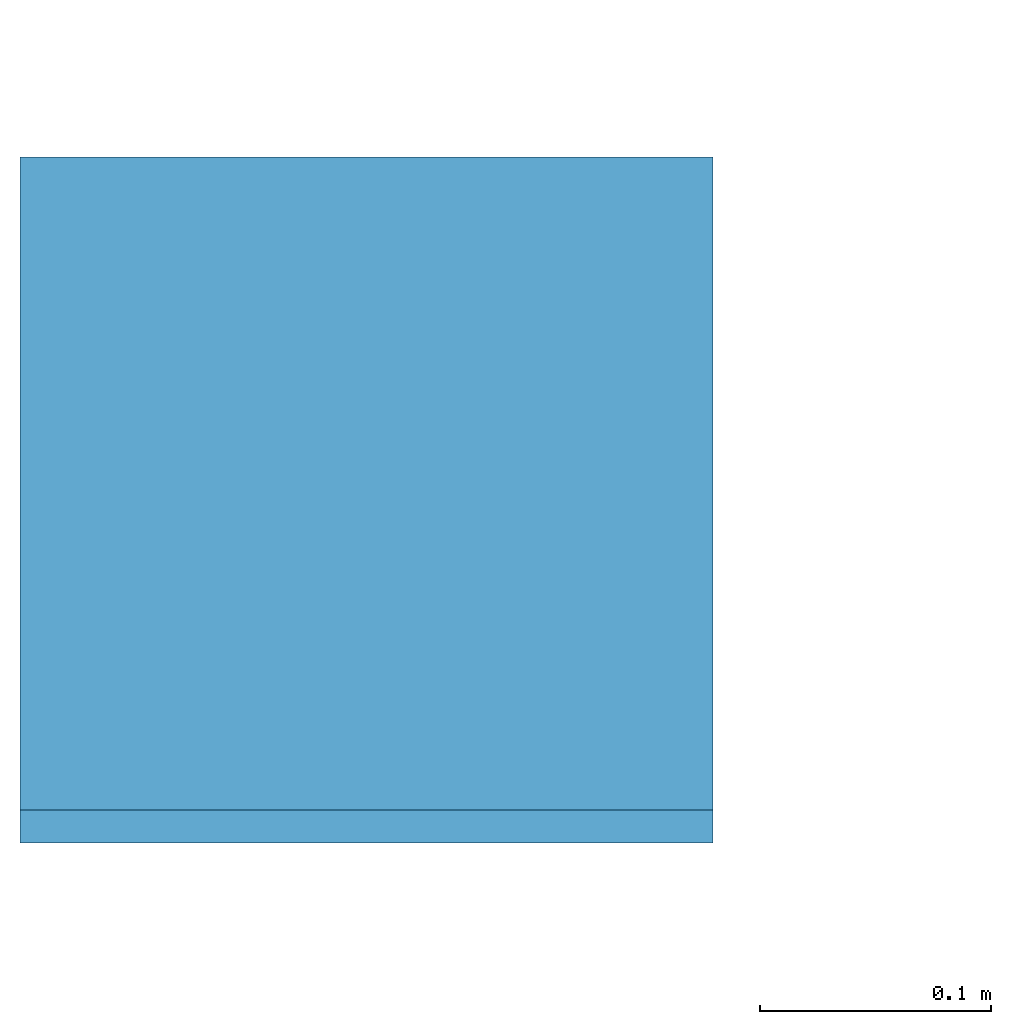
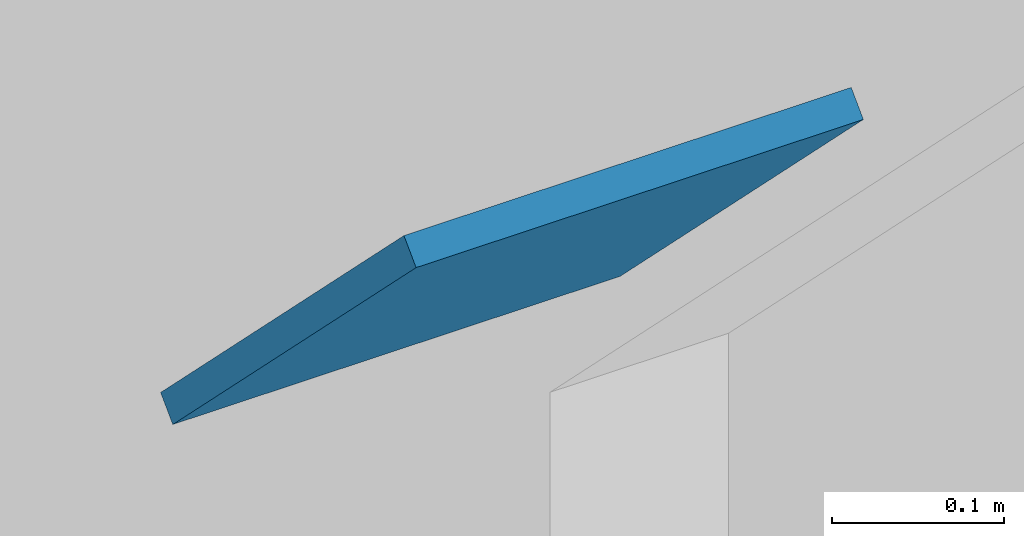
# One storey, part 28 of 31: 1 discrete accessory.
"""IFC4 building model written with IfcOpenShell, lengths in metres."""

from ifc_helpers import new_model, si_unit, direction, frame, origin, place, context, subcontext, project, spatial, polyline, outline, extrude, material, element, save


model = new_model("IFC4")

# Units and contexts
model_context = context("Model", 3, precision=1e-05, world=origin(), true_north=direction((0.0, 1.0)))
body_context = subcontext(model_context, "Body", "Model", "MODEL_VIEW")
ifc_project = project(units=[si_unit("LENGTHUNIT", "METRE"), si_unit("AREAUNIT", "SQUARE_METRE"), si_unit("VOLUMEUNIT", "CUBIC_METRE"), si_unit("PLANEANGLEUNIT", "RADIAN"), si_unit("MASSUNIT", "GRAM", prefix="KILO")], contexts=[model_context])

# Site, building, storey
site_placement = place(None, origin())
site = spatial("IfcSite", under=ifc_project, at=site_placement, CompositionType="ELEMENT")
building_placement = place(site_placement, origin())
building = spatial("IfcBuilding", under=site, at=building_placement, Name="Silangan Lancet Faculty of Sciences", CompositionType="ELEMENT")
storey_placement = place(building_placement, frame((0.0, 0.0, 36.0)))
storey = spatial("IfcBuildingStorey", under=building, at=storey_placement, Name="L07", CompositionType="ELEMENT", Elevation=36.0)

# Discrete accessory
ifc_material = material(Name="Steel STK400", Category="steel")
discrete_accessory_placement = place(storey_placement, frame((-0.733642578125, 32.15869140625, 8.07568359375), z_axis=(0.0, 0.707106781187, 0.707106781187), x_axis=(1.0, 0.0, 0.0)))
element("IfcDiscreteAccessory", 1, at=discrete_accessory_placement, inside=storey, material=ifc_material, Name="Gable truss strut head plate B", ObjectType="CONNECTION PLATE", PredefinedType="USERDEFINED", context=body_context, shape_type="SweptSolid", body=[
    extrude(outline(polyline([(0.0, 0.0), (0.300048828125, 0.0), (0.300048828125, 0.3998191663154404), (0.0, 0.3998191663154404), (0.0, 0.0)])), origin(), (0.0, 0.0, -1.0), 0.02001953125),
])

save(model, "model.ifc")
